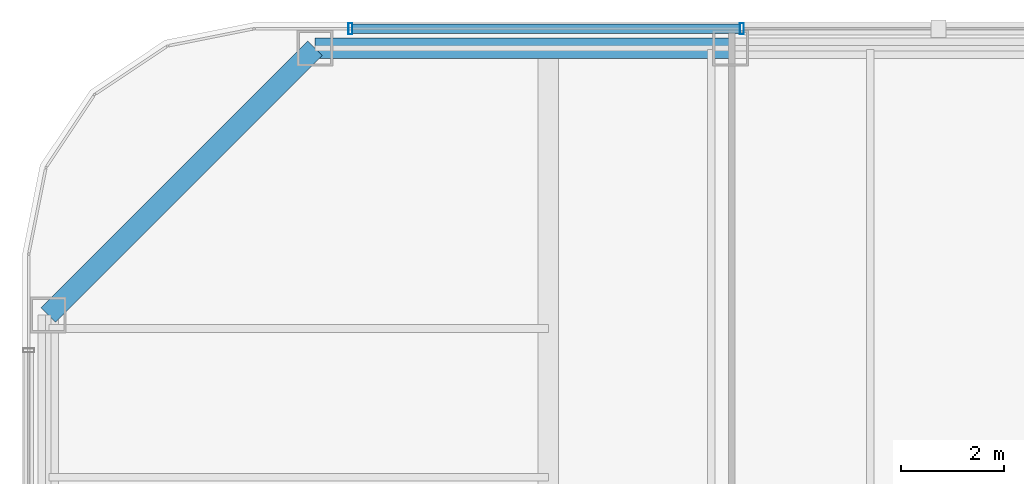
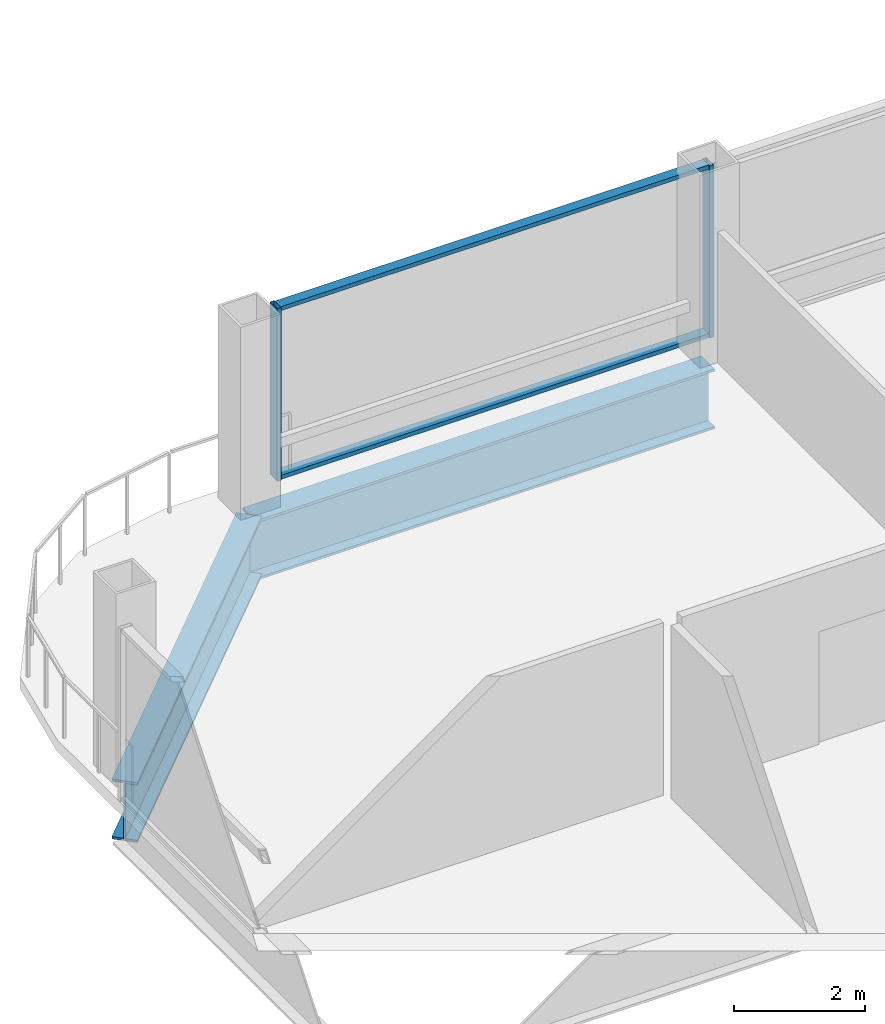
# One storey, part 11 of 19: 4 members, 2 beams, 1 element without a shape of its own.
"""IFC4 building model written with IfcOpenShell, lengths in metres."""

from ifc_helpers import new_model, si_unit, direction, frame, origin, origin_2d, place, context, subcontext, project, spatial, hollow_rectangle, i_section, extrude, material, layer, layer_set, material_profile, profile_set, type_object, element, aggregate, save


model = new_model("IFC4")

# Units and contexts
model_context = context("Model", 3, precision=1e-05, world=origin(), true_north=direction((0.0, 1.0)))
body_context = subcontext(model_context, "Body", "Model", "MODEL_VIEW")
ifc_project = project(units=[si_unit("LENGTHUNIT", "METRE"), si_unit("AREAUNIT", "SQUARE_METRE"), si_unit("VOLUMEUNIT", "CUBIC_METRE"), si_unit("PLANEANGLEUNIT", "RADIAN"), si_unit("MASSUNIT", "GRAM", prefix="KILO")], contexts=[model_context])

# Site, building, storey
site_placement = place(None, origin())
site = spatial("IfcSite", under=ifc_project, at=site_placement, CompositionType="ELEMENT")
building_placement = place(site_placement, origin())
building = spatial("IfcBuilding", under=site, at=building_placement, Name="Qhalaya Broadcast Tower", CompositionType="ELEMENT")
storey_placement = place(building_placement, frame((0.0, 0.0, 148.199951171875)))
storey = spatial("IfcBuildingStorey", under=building, at=storey_placement, Name="L43", CompositionType="ELEMENT", Elevation=148.199951171875)

# Beams
ifc_material_1 = material(Name="Structural Steel ASTM A992 Grade 50", Category="steel")
ifc_material_profile_1 = material_profile(ifc_material_1, i_section(OverallWidth=0.404052734375, OverallDepth=1.117919921875, WebThickness=0.026123046875, FlangeThickness=0.044921875, at=origin_2d()), Name="W44X335")
ifc_profile_set_1 = profile_set([ifc_material_profile_1], Name="Structural Steel ASTM A992 Grade 50")
beam_type = type_object("IfcBeamType", Name="Podium Long-Span Primary Girder PG1", PredefinedType="USERDEFINED", material=ifc_profile_set_1)
beam_1_placement = place(storey_placement, frame((-5.820068359375, 22.659912109375, -0.779052734375), z_axis=(-1.0, 0.0, 0.0), x_axis=(0.0, -1.0, 0.0)))
element("IfcBeam", 1, at=beam_1_placement, inside=storey, type_object=beam_type, Name="L43 PG1 L43-SPR-11", ObjectType="GIRDER", PredefinedType="USERDEFINED", context=body_context, shape_type="SweptSolid", body=[
    extrude(i_section(OverallWidth=0.404052734375, OverallDepth=1.117919921875, WebThickness=0.026123046875, FlangeThickness=0.044921875, at=origin_2d()), origin(), (0.0, 0.0, 1.0), 8.099853515625),
])
beam_2_placement = place(storey_placement, frame((-13.919921875, 22.659912109375, -0.779052734375), z_axis=(-0.707123380132, -0.707090181851, 0.0), x_axis=(0.707090181851, -0.707123380132, 0.0)))
element("IfcBeam", 2, at=beam_2_placement, inside=storey, type_object=beam_type, Name="L43 PG1 L43-SPR-12", ObjectType="GIRDER", PredefinedType="USERDEFINED", context=body_context, shape_type="SweptSolid", body=[
    extrude(i_section(OverallWidth=0.404052734375, OverallDepth=1.117919921875, WebThickness=0.026123046875, FlangeThickness=0.044921875, at=origin_2d()), origin(), (0.0, 0.0, 1.0), 7.35400390625),
])

# Curtain wall, members
ifc_material_2 = material(Name="Solar-Control Low-E Triple Glazing", Category="glass")
ifc_layer = layer(ifc_material_2, 0.219970703125, Name="Solar-Control Low-E Triple Glazing")
ifc_layer_set = layer_set([ifc_layer], Name="Solar-Control Low-E Triple Glazing")
curtain_wall_type = type_object("IfcCurtainWallType", Name="Recessed Sky-Garden Neck Ribbon Curtain Wall CW-05", PredefinedType="NOTDEFINED", material=ifc_layer_set)
curtain_wall_placement = place(storey_placement, origin())
curtain_wall = element("IfcCurtainWall", 3, at=curtain_wall_placement, inside=storey, type_object=curtain_wall_type, Name="L43 Unitised Curtain Wall L43-CW-N", PredefinedType="NOTDEFINED")
ifc_material_3 = material(Name="Anodised Aluminium 6063-T6", Category="aluminium")
ifc_material_profile_2 = material_profile(ifc_material_3, hollow_rectangle(XDim=0.074951171875, YDim=0.219970703125, WallThickness=0.00390625, at=origin_2d()), Name="ALU-MUL 75x220x4")
ifc_profile_set_2 = profile_set([ifc_material_profile_2], Name="Anodised Aluminium 6063-T6")
member_type_1 = type_object("IfcMemberType", Name="Unitised Curtain-Wall Mullion M01", PredefinedType="MULLION", material=ifc_profile_set_2)
member_1_placement = place(storey_placement, frame((-5.603271484375, 23.0400390625, 0.0), z_axis=(0.0, 0.0, 1.0), x_axis=(-1.0, 0.0, 0.0)))
member_1 = element("IfcMember", 4, at=member_1_placement, type_object=member_type_1, Name="CW-05 mullion 3", PredefinedType="MULLION", context=body_context, shape_type="SweptSolid", body=[
    extrude(hollow_rectangle(XDim=0.074951171875, YDim=0.219970703125, WallThickness=0.00390625, at=origin_2d()), origin(), (0.0, 0.0, 1.0), 3.219970703125),
])
member_2_placement = place(storey_placement, frame((-13.232421875, 23.0400390625, 0.0), z_axis=(0.0, 0.0, 1.0), x_axis=(-1.0, 0.0, 0.0)))
member_2 = element("IfcMember", 5, at=member_2_placement, type_object=member_type_1, Name="CW-05 mullion 4", PredefinedType="MULLION", context=body_context, shape_type="SweptSolid", body=[
    extrude(hollow_rectangle(XDim=0.074951171875, YDim=0.219970703125, WallThickness=0.00390625, at=origin_2d()), origin(), (0.0, 0.0, 1.0), 3.219970703125),
])
ifc_material_profile_3 = material_profile(ifc_material_3, hollow_rectangle(XDim=0.074951171875, YDim=0.179931640625, WallThickness=0.00390625, at=origin_2d()), Name="ALU-TRN 75x180x4")
ifc_profile_set_3 = profile_set([ifc_material_profile_3], Name="Anodised Aluminium 6063-T6")
member_type_2 = type_object("IfcMemberType", Name="Unitised Curtain-Wall Transom T01", PredefinedType="USERDEFINED", material=ifc_profile_set_3)
member_3_placement = place(storey_placement, frame((-5.640869140625, 23.0400390625, 0.03759765625), z_axis=(-1.0, 0.0, 0.0), x_axis=(0.0, 0.0, 1.0)))
member_3 = element("IfcMember", 6, at=member_3_placement, type_object=member_type_2, Name="CW-05 transom 3.1", ObjectType="TRANSOM", PredefinedType="USERDEFINED", context=body_context, shape_type="SweptSolid", body=[
    extrude(hollow_rectangle(XDim=0.074951171875, YDim=0.179931640625, WallThickness=0.00390625, at=origin_2d()), origin(), (0.0, 0.0, 1.0), 7.55419921875),
])
member_4_placement = place(storey_placement, frame((-5.640869140625, 23.0400390625, 3.1826171875), z_axis=(-1.0, 0.0, 0.0), x_axis=(0.0, 0.0, 1.0)))
member_4 = element("IfcMember", 7, at=member_4_placement, type_object=member_type_2, Name="CW-05 transom 3.2", ObjectType="TRANSOM", PredefinedType="USERDEFINED", context=body_context, shape_type="SweptSolid", body=[
    extrude(hollow_rectangle(XDim=0.074951171875, YDim=0.179931640625, WallThickness=0.00390625, at=origin_2d()), origin(), (0.0, 0.0, 1.0), 7.55419921875),
])
aggregate(curtain_wall, [member_1, member_2, member_3, member_4])

save(model, "model.ifc")
